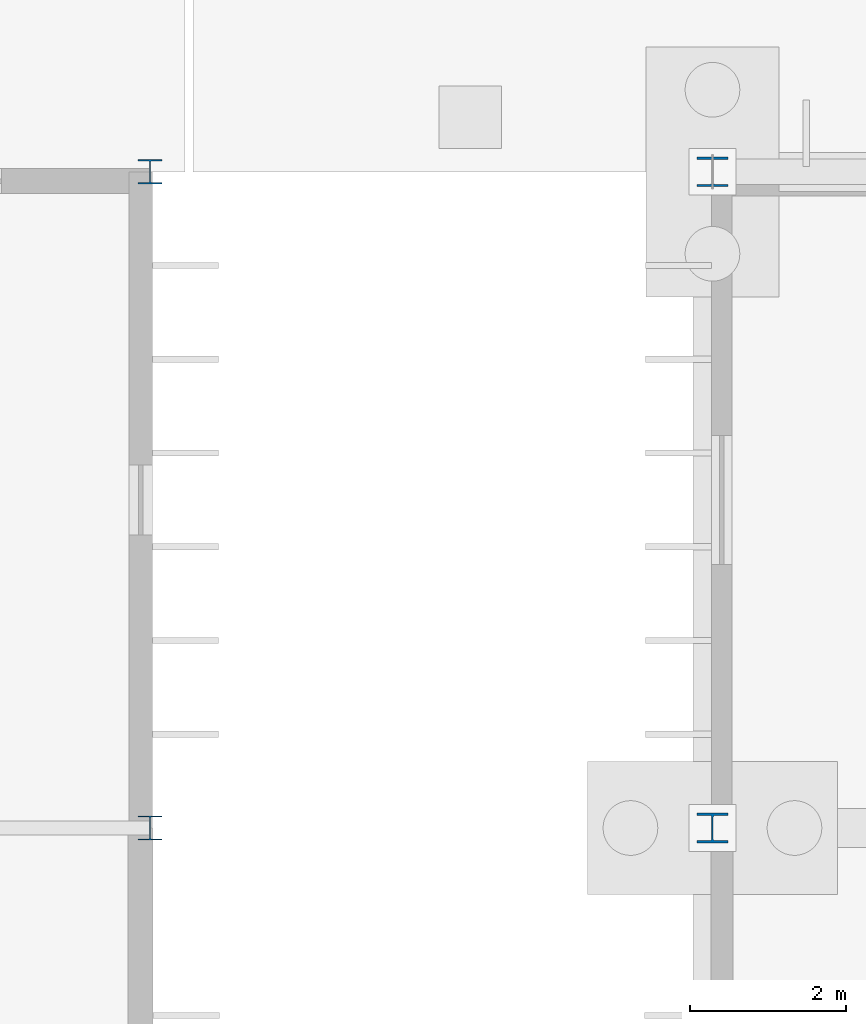
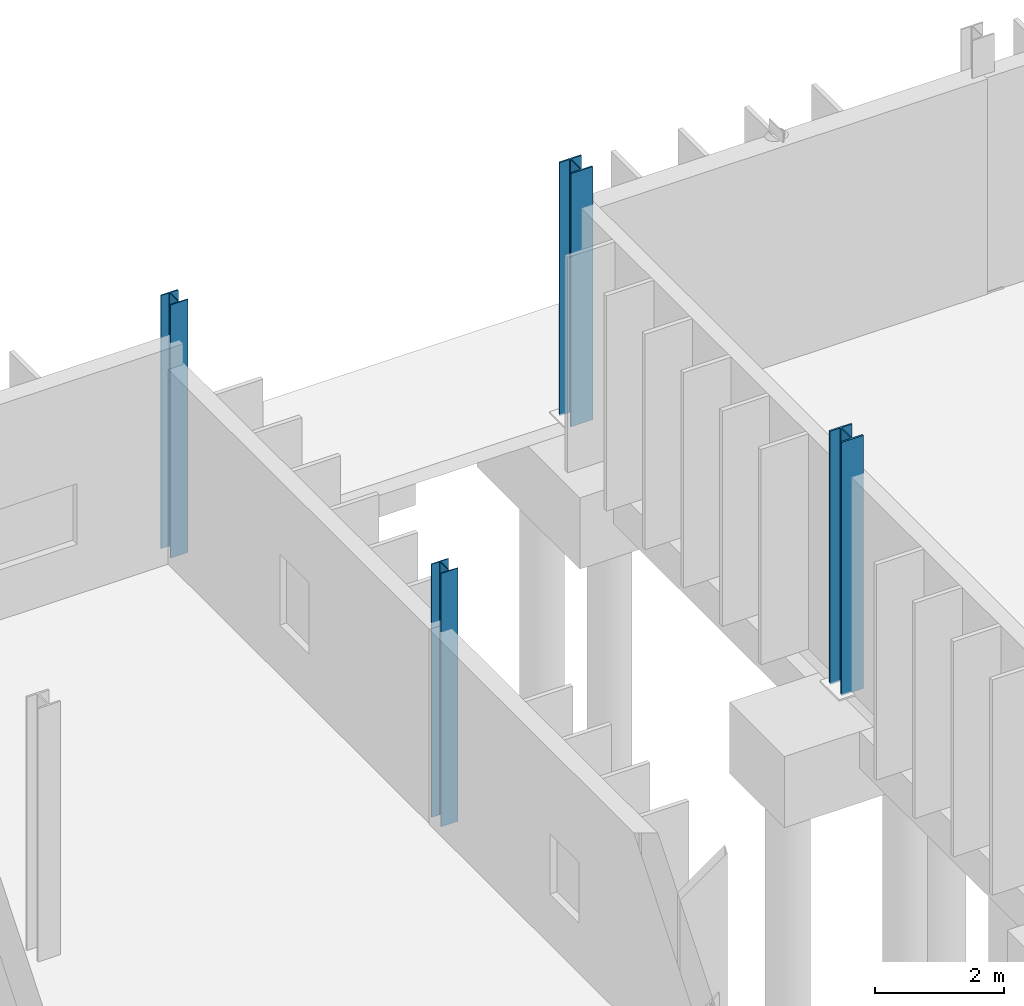
# One storey, part 20 of 118: 4 columns.
"""IFC4 building model written with IfcOpenShell, lengths in metres."""

from ifc_helpers import new_model, si_unit, direction, frame, origin, origin_2d, place, context, subcontext, project, spatial, i_section, extrude, material, material_profile, profile_set, type_object, element, save


model = new_model("IFC4")

# Units and contexts
model_context = context("Model", 3, precision=1e-05, world=origin(), true_north=direction((0.0, 1.0)))
body_context = subcontext(model_context, "Body", "Model", "MODEL_VIEW")
ifc_project = project(units=[si_unit("LENGTHUNIT", "METRE"), si_unit("AREAUNIT", "SQUARE_METRE"), si_unit("VOLUMEUNIT", "CUBIC_METRE"), si_unit("PLANEANGLEUNIT", "RADIAN"), si_unit("MASSUNIT", "GRAM", prefix="KILO")], contexts=[model_context])

# Site, building, storey
site_placement = place(None, origin())
site = spatial("IfcSite", under=ifc_project, at=site_placement, CompositionType="ELEMENT")
building_placement = place(site_placement, origin())
building = spatial("IfcBuilding", under=site, at=building_placement, Name="Qelthora Terrace Specialist Clinic", CompositionType="ELEMENT")
storey_placement = place(building_placement, origin())
storey = spatial("IfcBuildingStorey", under=building, at=storey_placement, Name="L00", CompositionType="ELEMENT", Elevation=0.0)

# Columns
ifc_material = material(Name="Steel S355", Category="steel")
ifc_material_profile_1 = material_profile(ifc_material, i_section(OverallWidth=0.306884765625, OverallDepth=0.31396484375, WebThickness=0.011962890625, FlangeThickness=0.018798828125, FilletRadius=0.01611328125, at=origin_2d()), Name="W310X118")
ifc_profile_set_1 = profile_set([ifc_material_profile_1], Name="Steel S355")
column_type_1 = type_object("IfcColumnType", Name="COL-W310X118", PredefinedType="COLUMN", material=ifc_profile_set_1)
column_1_placement = place(storey_placement, frame((50.39990234375, 109.199951171875, 0.0), z_axis=(0.0, 0.0, 1.0), x_axis=(1.0, 0.0, 0.0)))
element("IfcColumn", 1, at=column_1_placement, inside=storey, type_object=column_type_1, Name="Column L00-099", PredefinedType="COLUMN", context=body_context, shape_type="SweptSolid", body=[
    extrude(i_section(OverallWidth=0.306884765625, OverallDepth=0.31396484375, WebThickness=0.011962890625, FlangeThickness=0.018798828125, FilletRadius=0.01611328125, at=origin_2d()), origin(), (0.0, 0.0, 1.0), 4.800048828125),
])
ifc_material_profile_2 = material_profile(ifc_material, i_section(OverallWidth=0.304931640625, OverallDepth=0.30810546875, WebThickness=0.010009765625, FlangeThickness=0.015380859375, FilletRadius=0.014892578125, at=origin_2d()), Name="W310X97")
ifc_profile_set_2 = profile_set([ifc_material_profile_2], Name="Steel S355")
column_type_2 = type_object("IfcColumnType", Name="COL-W310X97", PredefinedType="COLUMN", material=ifc_profile_set_2)
column_2_placement = place(storey_placement, frame((50.39990234375, 100.800048828125, 0.0), z_axis=(0.0, 0.0, 1.0), x_axis=(1.0, 0.0, 0.0)))
element("IfcColumn", 2, at=column_2_placement, inside=storey, type_object=column_type_2, Name="Column L00-098", PredefinedType="COLUMN", context=body_context, shape_type="SweptSolid", body=[
    extrude(i_section(OverallWidth=0.304931640625, OverallDepth=0.30810546875, WebThickness=0.010009765625, FlangeThickness=0.015380859375, FilletRadius=0.014892578125, at=origin_2d()), origin(), (0.0, 0.0, 1.0), 4.800048828125),
])
ifc_material_profile_3 = material_profile(ifc_material, i_section(OverallWidth=0.39404296875, OverallDepth=0.375, WebThickness=0.017333984375, FlangeThickness=0.027587890625, FilletRadius=0.02001953125, at=origin_2d()), Name="W360X216")
ifc_profile_set_3 = profile_set([ifc_material_profile_3], Name="Steel S355")
column_type_3 = type_object("IfcColumnType", Name="COL-W360X216", PredefinedType="COLUMN", material=ifc_profile_set_3)
column_3_placement = place(storey_placement, frame((57.60009765625, 109.199951171875, 0.0), z_axis=(0.0, 0.0, 1.0), x_axis=(1.0, 0.0, 0.0)))
element("IfcColumn", 3, at=column_3_placement, inside=storey, type_object=column_type_3, Name="Column L00-113", PredefinedType="COLUMN", context=body_context, shape_type="SweptSolid", body=[
    extrude(i_section(OverallWidth=0.39404296875, OverallDepth=0.375, WebThickness=0.017333984375, FlangeThickness=0.027587890625, FilletRadius=0.02001953125, at=origin_2d()), origin(), (0.0, 0.0, 1.0), 4.800048828125),
])
ifc_material_profile_4 = material_profile(ifc_material, i_section(OverallWidth=0.39501953125, OverallDepth=0.3798828125, WebThickness=0.018798828125, FlangeThickness=0.0302734375, FilletRadius=0.02001953125, at=origin_2d()), Name="W360X237")
ifc_profile_set_4 = profile_set([ifc_material_profile_4], Name="Steel S355")
column_type_4 = type_object("IfcColumnType", Name="COL-W360X237", PredefinedType="COLUMN", material=ifc_profile_set_4)
column_4_placement = place(storey_placement, frame((57.60009765625, 100.800048828125, 0.0), z_axis=(0.0, 0.0, 1.0), x_axis=(1.0, 0.0, 0.0)))
element("IfcColumn", 4, at=column_4_placement, inside=storey, type_object=column_type_4, Name="Column L00-112", PredefinedType="COLUMN", context=body_context, shape_type="SweptSolid", body=[
    extrude(i_section(OverallWidth=0.39501953125, OverallDepth=0.3798828125, WebThickness=0.018798828125, FlangeThickness=0.0302734375, FilletRadius=0.02001953125, at=origin_2d()), origin(), (0.0, 0.0, 1.0), 4.800048828125),
])

save(model, "model.ifc")
